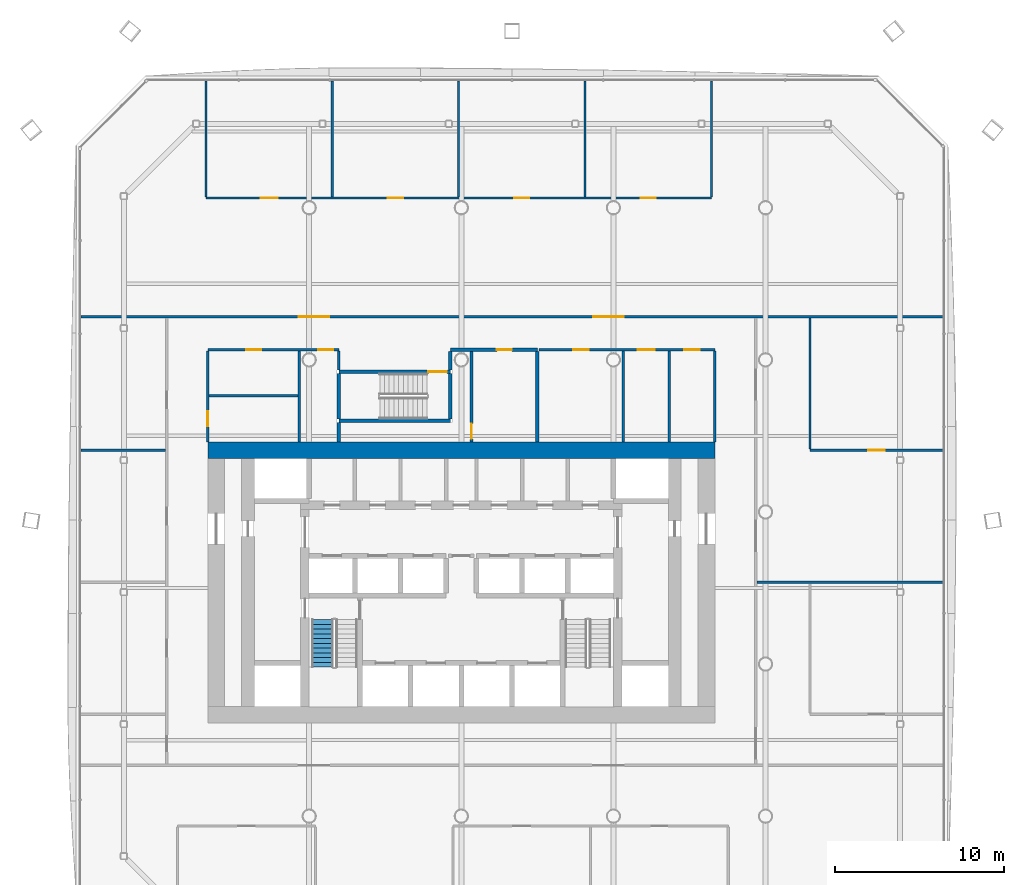
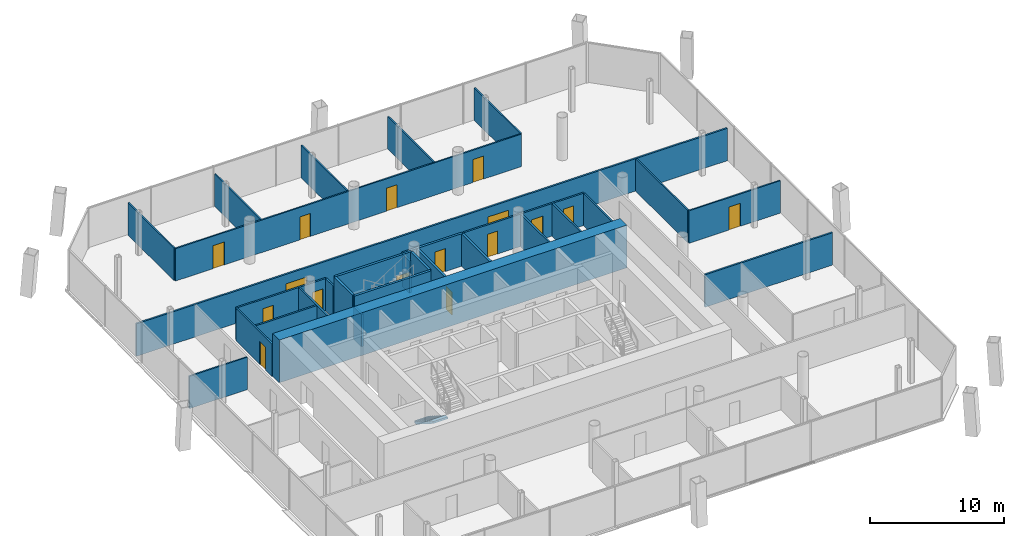
# One storey, part 14 of 20: 30 walls, 16 doors, 1 stair flight, 16 openings, 1 element without a shape of its own.
"""IFC4 building model written with IfcOpenShell, lengths in metres."""

from ifc_helpers import new_model, si_unit, direction, frame, frame_2d, origin, place, context, subcontext, project, spatial, polyline, rectangle, outline, extrude, material, layer, layer_set, type_object, element, fill, aggregate, save


model = new_model("IFC4")

# Units and contexts
model_context = context("Model", 3, precision=1e-05, world=origin(), true_north=direction((0.0, 1.0)))
body_context = subcontext(model_context, "Body", "Model", "MODEL_VIEW")
ifc_project = project(units=[si_unit("LENGTHUNIT", "METRE"), si_unit("AREAUNIT", "SQUARE_METRE"), si_unit("VOLUMEUNIT", "CUBIC_METRE"), si_unit("PLANEANGLEUNIT", "RADIAN"), si_unit("MASSUNIT", "GRAM", prefix="KILO")], contexts=[model_context])

# Site, building, storey
site_placement = place(None, origin())
site = spatial("IfcSite", under=ifc_project, at=site_placement, CompositionType="ELEMENT")
building_placement = place(site_placement, origin())
building = spatial("IfcBuilding", under=site, at=building_placement, Name="Tskaro Facet Tower", CompositionType="ELEMENT")
storey_placement = place(building_placement, frame((0.0, 0.0, 66.0)))
storey = spatial("IfcBuildingStorey", under=building, at=storey_placement, Name="L15", CompositionType="ELEMENT", Elevation=66.0)

# Walls
ifc_material_1 = material(Name="Concrete C60/75", Category="concrete")
ifc_layer_1 = layer(ifc_material_1, 1.0, Name="Concrete C60/75")
ifc_layer_set_1 = layer_set([ifc_layer_1], Name="Concrete C60/75")
wall_type_1 = type_object("IfcWallType", Name="Core wall 1000", PredefinedType="SHEAR", material=ifc_layer_set_1)
wall_1_placement = place(storey_placement, frame((-15.0, 3.64990234375, 0.0), z_axis=(0.0, 0.0, 1.0), x_axis=(1.0, 0.0, 0.0)))
element("IfcWall", 1, at=wall_1_placement, inside=storey, type_object=wall_type_1, Name="Core wall CW-Z1N", PredefinedType="SHEAR", context=body_context, shape_type="SweptSolid", body=[
    extrude(rectangle(XDim=30.0, YDim=1.0, at=frame_2d((15.0, 0.0))), origin(), (0.0, 0.0, 1.0), 3.89990234375),
])
ifc_material_2 = material(Name="Gypsum board on steel studs", Category="steel")
ifc_layer_2 = layer(ifc_material_2, 0.125, Name="Gypsum board on steel studs")
ifc_layer_set_2 = layer_set([ifc_layer_2], Name="Gypsum board on steel studs")
wall_type_2 = type_object("IfcWallType", Name="PART", PredefinedType="PARTITIONING", material=ifc_layer_set_2)
wall_2_placement = place(storey_placement, frame((-22.509033203125, 3.64794921875, 0.0), z_axis=(0.0, 0.0, 1.0), x_axis=(1.0, 0.0, 0.0)))
element("IfcWall", 2, at=wall_2_placement, inside=storey, type_object=wall_type_2, Name="Partition W018", PredefinedType="PARTITIONING", context=body_context, shape_type="SweptSolid", body=[
    extrude(rectangle(XDim=5.009033203125, YDim=0.125, at=frame_2d((2.50439453125, 0.0))), origin(), (0.0, 0.0, 1.0), 2.9599609375),
])

# Wall, opening, door
wall_3_placement = place(storey_placement, frame((20.625, 3.64794921875, 0.0), z_axis=(0.0, 0.0, 1.0), x_axis=(1.0, 0.0, 0.0)))
wall_3 = element("IfcWall", 3, at=wall_3_placement, inside=storey, type_object=wall_type_2, Name="Partition W019", PredefinedType="PARTITIONING", context=body_context, shape_type="SweptSolid", body=[
    extrude(rectangle(XDim=7.884033203125, YDim=0.125, at=frame_2d((3.94189453125, 0.0))), origin(), (0.0, 0.0, 1.0), 2.9599609375),
])
opening_1_placement = place(wall_3_placement, frame((3.44189453125, 0.0, 0.0)))
opening_1 = element("IfcOpeningElement", 4, at=opening_1_placement, cuts=wall_3, Name="Opening T4-D29", PredefinedType="OPENING", context=body_context, shape_type="SweptSolid", body=[
    extrude(rectangle(XDim=1.0, YDim=2.10009765625, at=frame_2d((0.5, 1.050048828125))), frame((0.0, 0.072509765625, 0.0), z_axis=(0.0, -1.0, 0.0), x_axis=(1.0, 0.0, 0.0)), (0.0, 0.0, 1.0), 0.14501953125),
])
ifc_material_3 = material(Name="Timber", Category="wood")
door_type_1 = type_object("IfcDoorType", Name="D-ROOM-WIDE", OperationType="NOTDEFINED", PredefinedType="DOOR", material=ifc_material_3)
door_1_placement = place(opening_1_placement, origin())
door_1 = element("IfcDoor", 5, at=door_1_placement, inside=storey, type_object=door_type_1, Name="Door T4-D29", OperationType="SINGLE_SWING_LEFT", OverallHeight=2.10009765625, OverallWidth=1.0, PredefinedType="DOOR", context=body_context, shape_type="SweptSolid", body=[
    extrude(rectangle(XDim=1.0, YDim=2.10009765625, at=frame_2d((0.5, 1.050048828125))), frame((0.0, 0.02490234375, 0.0), z_axis=(0.0, -1.0, 0.0), x_axis=(1.0, 0.0, 0.0)), (0.0, 0.0, 1.0), 0.050048828125),
])
fill(opening_1, door_1)

# Wall, openings, doors
wall_4_placement = place(storey_placement, frame((-15.110107421875, 18.580078125, 0.0), z_axis=(0.0, 0.0, 1.0), x_axis=(1.0, 0.0, 0.0)))
wall_4 = element("IfcWall", 6, at=wall_4_placement, inside=storey, type_object=wall_type_2, Name="Partition W027", PredefinedType="PARTITIONING", context=body_context, shape_type="SweptSolid", body=[
    extrude(rectangle(XDim=29.904052734375, YDim=0.125, at=frame_2d((14.9521484375, 0.0))), origin(), (0.0, 0.0, 1.0), 2.9599609375),
])
opening_2_placement = place(wall_4_placement, frame((10.763916015625, 0.0, 0.0)))
opening_2 = element("IfcOpeningElement", 7, at=opening_2_placement, cuts=wall_4, Name="Opening T4-D43", PredefinedType="OPENING", context=body_context, shape_type="SweptSolid", body=[
    extrude(rectangle(XDim=0.89990234375, YDim=2.10009765625, at=frame_2d((0.449951171875, 1.050048828125))), frame((0.0, 0.072509765625, 0.0), z_axis=(0.0, -1.0, 0.0), x_axis=(1.0, 0.0, 0.0)), (0.0, 0.0, 1.0), 0.14501953125),
])
opening_3_placement = place(wall_4_placement, frame((3.238037109375, 0.0, 0.0)))
opening_3 = element("IfcOpeningElement", 8, at=opening_3_placement, cuts=wall_4, Name="Opening T4-D42", PredefinedType="OPENING", context=body_context, shape_type="SweptSolid", body=[
    extrude(rectangle(XDim=1.0, YDim=2.10009765625, at=frame_2d((0.5, 1.050048828125))), frame((0.0, 0.072509765625, 0.0), z_axis=(0.0, -1.0, 0.0), x_axis=(1.0, 0.0, 0.0)), (0.0, 0.0, 1.0), 0.14501953125),
])
opening_4_placement = place(wall_4_placement, frame((25.716064453125, 0.0, 0.0)))
opening_4 = element("IfcOpeningElement", 9, at=opening_4_placement, cuts=wall_4, Name="Opening T4-D45", PredefinedType="OPENING", context=body_context, shape_type="SweptSolid", body=[
    extrude(rectangle(XDim=0.89990234375, YDim=2.10009765625, at=frame_2d((0.449951171875, 1.050048828125))), frame((0.0, 0.072509765625, 0.0), z_axis=(0.0, -1.0, 0.0), x_axis=(1.0, 0.0, 0.0)), (0.0, 0.0, 1.0), 0.14501953125),
])
opening_5_placement = place(wall_4_placement, frame((18.239990234375, 0.0, 0.0)))
opening_5 = element("IfcOpeningElement", 10, at=opening_5_placement, cuts=wall_4, Name="Opening T4-D44", PredefinedType="OPENING", context=body_context, shape_type="SweptSolid", body=[
    extrude(rectangle(XDim=0.89990234375, YDim=2.10009765625, at=frame_2d((0.449951171875, 1.050048828125))), frame((0.0, 0.072509765625, 0.0), z_axis=(0.0, -1.0, 0.0), x_axis=(1.0, 0.0, 0.0)), (0.0, 0.0, 1.0), 0.14501953125),
])
door_type_2 = type_object("IfcDoorType", Name="D-ROOM", OperationType="NOTDEFINED", PredefinedType="DOOR", material=ifc_material_3)
door_2_placement = place(opening_2_placement, origin())
door_2 = element("IfcDoor", 11, at=door_2_placement, inside=storey, type_object=door_type_2, Name="Door T4-D43", OperationType="SINGLE_SWING_LEFT", OverallHeight=2.10009765625, OverallWidth=0.89990234375, PredefinedType="DOOR", context=body_context, shape_type="SweptSolid", body=[
    extrude(rectangle(XDim=0.89990234375, YDim=2.10009765625, at=frame_2d((0.449951171875, 1.050048828125))), frame((0.0, 0.02490234375, 0.0), z_axis=(0.0, -1.0, 0.0), x_axis=(1.0, 0.0, 0.0)), (0.0, 0.0, 1.0), 0.050048828125),
])
fill(opening_2, door_2)
door_3_placement = place(opening_4_placement, origin())
door_3 = element("IfcDoor", 12, at=door_3_placement, inside=storey, type_object=door_type_2, Name="Door T4-D45", OperationType="SINGLE_SWING_LEFT", OverallHeight=2.10009765625, OverallWidth=0.89990234375, PredefinedType="DOOR", context=body_context, shape_type="SweptSolid", body=[
    extrude(rectangle(XDim=0.89990234375, YDim=2.10009765625, at=frame_2d((0.449951171875, 1.050048828125))), frame((0.0, 0.02490234375, 0.0), z_axis=(0.0, -1.0, 0.0), x_axis=(1.0, 0.0, 0.0)), (0.0, 0.0, 1.0), 0.050048828125),
])
fill(opening_4, door_3)
door_4_placement = place(opening_5_placement, origin())
door_4 = element("IfcDoor", 13, at=door_4_placement, inside=storey, type_object=door_type_2, Name="Door T4-D44", OperationType="SINGLE_SWING_LEFT", OverallHeight=2.10009765625, OverallWidth=0.89990234375, PredefinedType="DOOR", context=body_context, shape_type="SweptSolid", body=[
    extrude(rectangle(XDim=0.89990234375, YDim=2.10009765625, at=frame_2d((0.449951171875, 1.050048828125))), frame((0.0, 0.02490234375, 0.0), z_axis=(0.0, -1.0, 0.0), x_axis=(1.0, 0.0, 0.0)), (0.0, 0.0, 1.0), 0.050048828125),
])
fill(opening_5, door_4)
door_5_placement = place(opening_3_placement, origin())
door_5 = element("IfcDoor", 14, at=door_5_placement, inside=storey, type_object=door_type_1, Name="Door T4-D42", OperationType="SINGLE_SWING_LEFT", OverallHeight=2.10009765625, OverallWidth=1.0, PredefinedType="DOOR", context=body_context, shape_type="SweptSolid", body=[
    extrude(rectangle(XDim=1.0, YDim=2.10009765625, at=frame_2d((0.5, 1.050048828125))), frame((0.0, 0.02490234375, 0.0), z_axis=(0.0, -1.0, 0.0), x_axis=(1.0, 0.0, 0.0)), (0.0, 0.0, 1.0), 0.050048828125),
])
fill(opening_3, door_5)

# Walls
for number, where, z_axis, x_axis, name in (
    (15, (-15.110107421875, 18.642578125, 0.0), (0.0, 0.0, 1.0), (0.0, 1.0, 0.0), "Partition W030"),
    (16, (-7.634033203125, 18.642578125, 0.0), (0.0, 0.0, 1.0), (0.0, 1.0, 0.0), "Partition W035"),
    (17, (-0.157958984375, 18.642578125, 0.0), (0.0, 0.0, 1.0), (0.0, 1.0, 0.0), "Partition W050"),
    (18, (7.318115234375, 18.642578125, 0.0), (0.0, 0.0, 1.0), (0.0, 1.0, 0.0), "Partition W062"),
    (19, (14.7939453125, 18.642578125, 0.0), (0.0, 0.0, 1.0), (0.0, 1.0, 0.0), "Partition W067"),
):
    element("IfcWall", number, at=place(storey_placement, frame(where, z_axis=z_axis, x_axis=x_axis)), inside=storey, type_object=wall_type_2, Name=name, PredefinedType="PARTITIONING", context=body_context, shape_type="SweptSolid", body=[
        extrude(rectangle(XDim=6.866455078125, YDim=0.125, at=frame_2d((3.43310546875, 0.0))), origin(), (0.0, 0.0, 1.0), 2.9599609375),
    ])
wall_5_placement = place(storey_placement, frame((20.625, 3.71044921875, 0.0), z_axis=(0.0, 0.0, 1.0), x_axis=(0.0, 1.0, 0.0)))
element("IfcWall", 20, at=wall_5_placement, inside=storey, type_object=wall_type_2, Name="Partition W072", PredefinedType="PARTITIONING", context=body_context, shape_type="SweptSolid", body=[
    extrude(rectangle(XDim=7.76953125, YDim=0.125, at=frame_2d((3.884765625, 0.0))), origin(), (0.0, 0.0, 1.0), 2.9599609375),
])
ifc_layer_3 = layer(ifc_material_2, 0.14990234375, Name="Gypsum board on steel studs")
ifc_layer_set_3 = layer_set([ifc_layer_3], Name="Gypsum board on steel studs")
wall_type_3 = type_object("IfcWallType", Name="PART-CORR", PredefinedType="PARTITIONING", material=ifc_layer_set_3)
wall_6_placement = place(storey_placement, frame((17.5, -4.162109375, 0.0), z_axis=(0.0, 0.0, 1.0), x_axis=(1.0, 0.0, 0.0)))
element("IfcWall", 21, at=wall_6_placement, inside=storey, type_object=wall_type_3, Name="Corridor wall W012", PredefinedType="PARTITIONING", context=body_context, shape_type="SweptSolid", body=[
    extrude(rectangle(XDim=11.009033203125, YDim=0.14990234375, at=frame_2d((5.50439453125, 0.0))), origin(), (0.0, 0.0, 1.0), 2.9599609375),
])
wall_7_placement = place(storey_placement, frame((-14.925048828125, 6.8779296875, 0.0), z_axis=(0.0, 0.0, 1.0), x_axis=(1.0, 0.0, 0.0)))
element("IfcWall", 22, at=wall_7_placement, inside=storey, type_object=wall_type_3, Name="Corridor wall W021", PredefinedType="PARTITIONING", context=body_context, shape_type="SweptSolid", body=[
    extrude(rectangle(XDim=5.275146484375, YDim=0.14990234375, at=frame_2d((2.6376953125, 0.0))), origin(), (0.0, 0.0, 1.0), 2.9599609375),
])

# Wall, openings, doors
wall_8_placement = place(storey_placement, frame((-7.25, 9.60498046875, 0.0), z_axis=(0.0, 0.0, 1.0), x_axis=(-1.0, 0.0, 0.0)))
wall_8 = element("IfcWall", 23, at=wall_8_placement, inside=storey, type_object=wall_type_3, Name="Corridor wall W023", PredefinedType="PARTITIONING", context=body_context, shape_type="SweptSolid", body=[
    extrude(rectangle(XDim=7.75, YDim=0.14990234375, at=frame_2d((3.875, 0.0))), origin(), (0.0, 0.0, 1.0), 2.9599609375),
])
opening_6_placement = place(wall_8_placement, frame((0.3125, 0.0, 0.0)))
opening_6 = element("IfcOpeningElement", 24, at=opening_6_placement, cuts=wall_8, Name="Opening T4-D35", PredefinedType="OPENING", context=body_context, shape_type="SweptSolid", body=[
    extrude(rectangle(XDim=0.89990234375, YDim=2.10009765625, at=frame_2d((0.449951171875, 1.050048828125))), frame((0.0, 0.0849609375, 0.0), z_axis=(0.0, -1.0, 0.0), x_axis=(1.0, 0.0, 0.0)), (0.0, 0.0, 1.0), 0.169921875),
])
opening_7_placement = place(wall_8_placement, frame((4.58740234375, 0.0, 0.0)))
opening_7 = element("IfcOpeningElement", 25, at=opening_7_placement, cuts=wall_8, Name="Opening T4-D34", PredefinedType="OPENING", context=body_context, shape_type="SweptSolid", body=[
    extrude(rectangle(XDim=0.89990234375, YDim=2.10009765625, at=frame_2d((0.449951171875, 1.050048828125))), frame((0.0, 0.0849609375, 0.0), z_axis=(0.0, -1.0, 0.0), x_axis=(1.0, 0.0, 0.0)), (0.0, 0.0, 1.0), 0.169921875),
])
ifc_material_4 = material(Name="Steel", Category="steel")
door_type_3 = type_object("IfcDoorType", Name="D-RISER", OperationType="NOTDEFINED", PredefinedType="DOOR", material=ifc_material_4)
door_6_placement = place(opening_6_placement, origin())
door_6 = element("IfcDoor", 26, at=door_6_placement, inside=storey, type_object=door_type_3, Name="Door T4-D35", OperationType="SINGLE_SWING_RIGHT", OverallHeight=2.10009765625, OverallWidth=0.89990234375, PredefinedType="DOOR", context=body_context, shape_type="SweptSolid", body=[
    extrude(rectangle(XDim=0.89990234375, YDim=2.10009765625, at=frame_2d((0.449951171875, 1.050048828125))), frame((0.0, 0.02490234375, 0.0), z_axis=(0.0, -1.0, 0.0), x_axis=(1.0, 0.0, 0.0)), (0.0, 0.0, 1.0), 0.050048828125),
])
fill(opening_6, door_6)
door_7_placement = place(opening_7_placement, origin())
door_7 = element("IfcDoor", 27, at=door_7_placement, inside=storey, type_object=door_type_2, Name="Door T4-D34", OperationType="SINGLE_SWING_RIGHT", OverallHeight=2.10009765625, OverallWidth=0.89990234375, PredefinedType="DOOR", context=body_context, shape_type="SweptSolid", body=[
    extrude(rectangle(XDim=0.89990234375, YDim=2.10009765625, at=frame_2d((0.449951171875, 1.050048828125))), frame((0.0, 0.02490234375, 0.0), z_axis=(0.0, -1.0, 0.0), x_axis=(1.0, 0.0, 0.0)), (0.0, 0.0, 1.0), 0.050048828125),
])
fill(opening_7, door_7)

wall_9_placement = place(storey_placement, frame((15.0, 9.60498046875, 0.0), z_axis=(0.0, 0.0, 1.0), x_axis=(-1.0, 0.0, 0.0)))
wall_9 = element("IfcWall", 28, at=wall_9_placement, inside=storey, type_object=wall_type_3, Name="Corridor wall W025", PredefinedType="PARTITIONING", context=body_context, shape_type="SweptSolid", body=[
    extrude(rectangle(XDim=10.39990234375, YDim=0.14990234375, at=frame_2d((5.199951171875, 0.0))), origin(), (0.0, 0.0, 1.0), 2.9599609375),
])
opening_8_placement = place(wall_9_placement, frame((0.89990234375, 0.0, 0.0)))
opening_8 = element("IfcOpeningElement", 29, at=opening_8_placement, cuts=wall_9, Name="Opening T4-D39", PredefinedType="OPENING", context=body_context, shape_type="SweptSolid", body=[
    extrude(rectangle(XDim=0.89990234375, YDim=2.10009765625, at=frame_2d((0.449951171875, 1.050048828125))), frame((0.0, 0.0849609375, 0.0), z_axis=(0.0, -1.0, 0.0), x_axis=(1.0, 0.0, 0.0)), (0.0, 0.0, 1.0), 0.169921875),
])
opening_9_placement = place(wall_9_placement, frame((7.46240234375, 0.0, 0.0)))
opening_9 = element("IfcOpeningElement", 30, at=opening_9_placement, cuts=wall_9, Name="Opening T4-D37", PredefinedType="OPENING", context=body_context, shape_type="SweptSolid", body=[
    extrude(rectangle(XDim=0.89990234375, YDim=2.10009765625, at=frame_2d((0.449951171875, 1.050048828125))), frame((0.0, 0.0849609375, 0.0), z_axis=(0.0, -1.0, 0.0), x_axis=(1.0, 0.0, 0.0)), (0.0, 0.0, 1.0), 0.169921875),
])
opening_10_placement = place(wall_9_placement, frame((3.5625, 0.0, 0.0)))
opening_10 = element("IfcOpeningElement", 31, at=opening_10_placement, cuts=wall_9, Name="Opening T4-D38", PredefinedType="OPENING", context=body_context, shape_type="SweptSolid", body=[
    extrude(rectangle(XDim=1.0, YDim=2.10009765625, at=frame_2d((0.5, 1.050048828125))), frame((0.0, 0.0849609375, 0.0), z_axis=(0.0, -1.0, 0.0), x_axis=(1.0, 0.0, 0.0)), (0.0, 0.0, 1.0), 0.169921875),
])
door_8_placement = place(opening_8_placement, origin())
door_8 = element("IfcDoor", 32, at=door_8_placement, inside=storey, type_object=door_type_2, Name="Door T4-D39", OperationType="SINGLE_SWING_RIGHT", OverallHeight=2.10009765625, OverallWidth=0.89990234375, PredefinedType="DOOR", context=body_context, shape_type="SweptSolid", body=[
    extrude(rectangle(XDim=0.89990234375, YDim=2.10009765625, at=frame_2d((0.449951171875, 1.050048828125))), frame((0.0, 0.02490234375, 0.0), z_axis=(0.0, -1.0, 0.0), x_axis=(1.0, 0.0, 0.0)), (0.0, 0.0, 1.0), 0.050048828125),
])
fill(opening_8, door_8)
door_9_placement = place(opening_9_placement, origin())
door_9 = element("IfcDoor", 33, at=door_9_placement, inside=storey, type_object=door_type_2, Name="Door T4-D37", OperationType="SINGLE_SWING_RIGHT", OverallHeight=2.10009765625, OverallWidth=0.89990234375, PredefinedType="DOOR", context=body_context, shape_type="SweptSolid", body=[
    extrude(rectangle(XDim=0.89990234375, YDim=2.10009765625, at=frame_2d((0.449951171875, 1.050048828125))), frame((0.0, 0.02490234375, 0.0), z_axis=(0.0, -1.0, 0.0), x_axis=(1.0, 0.0, 0.0)), (0.0, 0.0, 1.0), 0.050048828125),
])
fill(opening_9, door_9)
door_10_placement = place(opening_10_placement, origin())
door_10 = element("IfcDoor", 34, at=door_10_placement, inside=storey, type_object=door_type_1, Name="Door T4-D38", OperationType="SINGLE_SWING_RIGHT", OverallHeight=2.10009765625, OverallWidth=1.0, PredefinedType="DOOR", context=body_context, shape_type="SweptSolid", body=[
    extrude(rectangle(XDim=1.0, YDim=2.10009765625, at=frame_2d((0.5, 1.050048828125))), frame((0.0, 0.02490234375, 0.0), z_axis=(0.0, -1.0, 0.0), x_axis=(1.0, 0.0, 0.0)), (0.0, 0.0, 1.0), 0.050048828125),
])
fill(opening_10, door_10)

wall_10_placement = place(storey_placement, frame((28.509033203125, 11.554931640625, 0.0), z_axis=(0.0, 0.0, 1.0), x_axis=(-1.0, 0.0, 0.0)))
wall_10 = element("IfcWall", 35, at=wall_10_placement, inside=storey, type_object=wall_type_3, Name="Corridor wall W026", PredefinedType="PARTITIONING", context=body_context, shape_type="SweptSolid", body=[
    extrude(rectangle(XDim=51.01806640625, YDim=0.14990234375, at=frame_2d((25.509033203125, 0.0))), origin(), (0.0, 0.0, 1.0), 2.9599609375),
])
opening_11_placement = place(wall_10_placement, frame((36.322021484375, 0.0, 0.0)))
opening_11 = element("IfcOpeningElement", 36, at=opening_11_placement, cuts=wall_10, Name="Opening T4-D40", PredefinedType="OPENING", context=body_context, shape_type="SweptSolid", body=[
    extrude(rectangle(XDim=1.800048828125, YDim=2.10009765625, at=frame_2d((0.89990234375, 1.050048828125))), frame((0.0, 0.0849609375, 0.0), z_axis=(0.0, -1.0, 0.0), x_axis=(1.0, 0.0, 0.0)), (0.0, 0.0, 1.0), 0.169921875),
])
opening_12_placement = place(wall_10_placement, frame((18.89599609375, 0.0, 0.0)))
opening_12 = element("IfcOpeningElement", 37, at=opening_12_placement, cuts=wall_10, Name="Opening T4-D41", PredefinedType="OPENING", context=body_context, shape_type="SweptSolid", body=[
    extrude(rectangle(XDim=1.800048828125, YDim=2.10009765625, at=frame_2d((0.89990234375, 1.050048828125))), frame((0.0, 0.0849609375, 0.0), z_axis=(0.0, -1.0, 0.0), x_axis=(1.0, 0.0, 0.0)), (0.0, 0.0, 1.0), 0.169921875),
])
ifc_material_5 = material(Name="Glass", Category="glass")
door_type_4 = type_object("IfcDoorType", Name="D-ENTRY-PAIR", OperationType="NOTDEFINED", PredefinedType="DOOR", material=ifc_material_5)
door_11_placement = place(opening_11_placement, origin())
door_11 = element("IfcDoor", 38, at=door_11_placement, inside=storey, type_object=door_type_4, Name="Door T4-D40", OperationType="DOUBLE_DOOR_SINGLE_SWING", OverallHeight=2.10009765625, OverallWidth=1.800048828125, PredefinedType="DOOR", context=body_context, shape_type="SweptSolid", body=[
    extrude(rectangle(XDim=1.800048828125, YDim=2.10009765625, at=frame_2d((0.89990234375, 1.050048828125))), frame((0.0, 0.02490234375, 0.0), z_axis=(0.0, -1.0, 0.0), x_axis=(1.0, 0.0, 0.0)), (0.0, 0.0, 1.0), 0.050048828125),
])
fill(opening_11, door_11)
door_12_placement = place(opening_12_placement, origin())
door_12 = element("IfcDoor", 39, at=door_12_placement, inside=storey, type_object=door_type_4, Name="Door T4-D41", OperationType="DOUBLE_DOOR_SINGLE_SWING", OverallHeight=2.10009765625, OverallWidth=1.800048828125, PredefinedType="DOOR", context=body_context, shape_type="SweptSolid", body=[
    extrude(rectangle(XDim=1.800048828125, YDim=2.10009765625, at=frame_2d((0.89990234375, 1.050048828125))), frame((0.0, 0.02490234375, 0.0), z_axis=(0.0, -1.0, 0.0), x_axis=(1.0, 0.0, 0.0)), (0.0, 0.0, 1.0), 0.050048828125),
])
fill(opening_12, door_12)

# Wall, opening, door
wall_11_placement = place(storey_placement, frame((-15.0, 9.530029296875, 0.0), z_axis=(0.0, 0.0, 1.0), x_axis=(0.0, -1.0, 0.0)))
wall_11 = element("IfcWall", 40, at=wall_11_placement, inside=storey, type_object=wall_type_3, Name="Corridor wall W031", PredefinedType="PARTITIONING", context=body_context, shape_type="SweptSolid", body=[
    extrude(rectangle(XDim=5.380126953125, YDim=0.14990234375, at=frame_2d((2.68994140625, 0.0))), origin(), (0.0, 0.0, 1.0), 2.9599609375),
])
opening_13_placement = place(wall_11_placement, frame((3.56591796875, 0.0, 0.0)))
opening_13 = element("IfcOpeningElement", 41, at=opening_13_placement, cuts=wall_11, Name="Opening T4-D31", PredefinedType="OPENING", context=body_context, shape_type="SweptSolid", body=[
    extrude(rectangle(XDim=0.89990234375, YDim=2.10009765625, at=frame_2d((0.449951171875, 1.050048828125))), frame((0.0, 0.0849609375, 0.0), z_axis=(0.0, -1.0, 0.0), x_axis=(1.0, 0.0, 0.0)), (0.0, 0.0, 1.0), 0.169921875),
])
door_13_placement = place(opening_13_placement, origin())
door_13 = element("IfcDoor", 42, at=door_13_placement, inside=storey, type_object=door_type_2, Name="Door T4-D31", OperationType="SINGLE_SWING_RIGHT", OverallHeight=2.10009765625, OverallWidth=0.89990234375, PredefinedType="DOOR", context=body_context, shape_type="SweptSolid", body=[
    extrude(rectangle(XDim=0.89990234375, YDim=2.10009765625, at=frame_2d((0.449951171875, 1.050048828125))), frame((0.0, 0.02490234375, 0.0), z_axis=(0.0, -1.0, 0.0), x_axis=(1.0, 0.0, 0.0)), (0.0, 0.0, 1.0), 0.050048828125),
])
fill(opening_13, door_13)

# Walls
wall_12_placement = place(storey_placement, frame((-9.574951171875, 4.14990234375, 0.0), z_axis=(0.0, 0.0, 1.0), x_axis=(0.0, 1.0, 0.0)))
element("IfcWall", 43, at=wall_12_placement, inside=storey, type_object=wall_type_3, Name="Corridor wall W032", PredefinedType="PARTITIONING", context=body_context, shape_type="SweptSolid", body=[
    extrude(rectangle(XDim=5.380126953125, YDim=0.14990234375, at=frame_2d((2.68994140625, 0.0))), origin(), (0.0, 0.0, 1.0), 2.9599609375),
])
wall_13_placement = place(storey_placement, frame((-7.25, 8.39990234375, 0.0), z_axis=(0.0, 0.0, 1.0), x_axis=(0.0, 1.0, 0.0)))
element("IfcWall", 44, at=wall_13_placement, inside=storey, type_object=wall_type_3, Name="Corridor wall W038", PredefinedType="PARTITIONING", context=body_context, shape_type="SweptSolid", body=[
    extrude(rectangle(XDim=1.130126953125, YDim=0.14990234375, at=frame_2d((0.56494140625, 0.0))), origin(), (0.0, 0.0, 1.0), 2.9599609375),
])
for number, where, z_axis, x_axis, name in (
    (45, (9.574951171875, 4.14990234375, 0.0), (0.0, 0.0, 1.0), (0.0, 1.0, 0.0), "Corridor wall W065"),
    (46, (12.300048828125, 4.14990234375, 0.0), (0.0, 0.0, 1.0), (0.0, 1.0, 0.0), "Corridor wall W066"),
    (47, (15.0, 4.14990234375, 0.0), (0.0, 0.0, 1.0), (0.0, 1.0, 0.0), "Corridor wall W068"),
):
    element("IfcWall", number, at=place(storey_placement, frame(where, z_axis=z_axis, x_axis=x_axis)), inside=storey, type_object=wall_type_3, Name=name, PredefinedType="PARTITIONING", context=body_context, shape_type="SweptSolid", body=[
        extrude(rectangle(XDim=5.380126953125, YDim=0.14990234375, at=frame_2d((2.68994140625, 0.0))), origin(), (0.0, 0.0, 1.0), 2.9599609375),
    ])
ifc_layer_4 = layer(ifc_material_1, 0.199951171875, Name="Concrete C60/75")
ifc_layer_set_4 = layer_set([ifc_layer_4], Name="Concrete C60/75")
wall_type_4 = type_object("IfcWallType", Name="STAIR-WALL", PredefinedType="SHEAR", material=ifc_layer_set_4)
wall_14_placement = place(storey_placement, frame((-7.25, 5.39990234375, 0.0), z_axis=(0.0, 0.0, 1.0), x_axis=(1.0, 0.0, 0.0)))
element("IfcWall", 48, at=wall_14_placement, inside=storey, type_object=wall_type_4, Name="Stair wall W020", PredefinedType="SHEAR", context=body_context, shape_type="SweptSolid", body=[
    extrude(rectangle(XDim=6.60009765625, YDim=0.199951171875, at=frame_2d((3.300048828125, 0.0))), origin(), (0.0, 0.0, 1.0), 3.89990234375),
])

# Wall, opening, door
wall_15_placement = place(storey_placement, frame((-0.64990234375, 8.300048828125, 0.0), z_axis=(0.0, 0.0, 1.0), x_axis=(-1.0, 0.0, 0.0)))
wall_15 = element("IfcWall", 49, at=wall_15_placement, inside=storey, type_object=wall_type_4, Name="Stair wall W022", PredefinedType="SHEAR", context=body_context, shape_type="SweptSolid", body=[
    extrude(rectangle(XDim=6.60009765625, YDim=0.199951171875, at=frame_2d((3.300048828125, 0.0))), origin(), (0.0, 0.0, 1.0), 3.89990234375),
])
opening_14_placement = place(wall_15_placement, frame((0.199951171875, 0.0, 0.0)))
opening_14 = element("IfcOpeningElement", 50, at=opening_14_placement, cuts=wall_15, Name="Opening ST-3-D1", PredefinedType="OPENING", context=body_context, shape_type="SweptSolid", body=[
    extrude(rectangle(XDim=1.10009765625, YDim=2.10009765625, at=frame_2d((0.550048828125, 1.050048828125))), frame((0.0, 0.10986328125, 0.0), z_axis=(0.0, -1.0, 0.0), x_axis=(1.0, 0.0, 0.0)), (0.0, 0.0, 1.0), 0.219970703125),
])
door_type_5 = type_object("IfcDoorType", Name="D-STAIR", OperationType="NOTDEFINED", PredefinedType="DOOR", material=ifc_material_4)
door_14_placement = place(opening_14_placement, origin())
door_14 = element("IfcDoor", 51, at=door_14_placement, inside=storey, type_object=door_type_5, Name="Stair door 3", OperationType="SINGLE_SWING_RIGHT", OverallHeight=2.10009765625, OverallWidth=1.10009765625, PredefinedType="DOOR", context=body_context, shape_type="SweptSolid", body=[
    extrude(rectangle(XDim=1.10009765625, YDim=2.10009765625, at=frame_2d((0.550048828125, 1.050048828125))), frame((0.0, 0.02490234375, 0.0), z_axis=(0.0, -1.0, 0.0), x_axis=(1.0, 0.0, 0.0)), (0.0, 0.0, 1.0), 0.050048828125),
])
fill(opening_14, door_14)

# Walls
for number, where, z_axis, x_axis, name in (
    (52, (-7.25, 5.5, 0.0), (0.0, 0.0, 1.0), (0.0, 1.0, 0.0), "Stair wall W037"),
    (53, (-0.64990234375, 5.5, 0.0), (0.0, 0.0, 1.0), (0.0, 1.0, 0.0), "Stair wall W047"),
):
    element("IfcWall", number, at=place(storey_placement, frame(where, z_axis=z_axis, x_axis=x_axis)), inside=storey, type_object=wall_type_4, Name=name, PredefinedType="SHEAR", context=body_context, shape_type="SweptSolid", body=[
        extrude(rectangle(XDim=2.699951171875, YDim=0.199951171875, at=frame_2d((1.35009765625, 0.0))), origin(), (0.0, 0.0, 1.0), 3.89990234375),
    ])

# Wall, opening, door
ifc_material_6 = material(Name="Concrete C20/25", Category="concrete")
ifc_layer_5 = layer(ifc_material_6, 0.199951171875, Name="Concrete C20/25")
ifc_layer_set_5 = layer_set([ifc_layer_5], Name="Concrete C20/25")
wall_type_5 = type_object("IfcWallType", Name="WALL-RISER", PredefinedType="SOLIDWALL", material=ifc_layer_set_5)
wall_16_placement = place(storey_placement, frame((4.5, 9.60498046875, 0.0), z_axis=(0.0, 0.0, 1.0), x_axis=(-1.0, 0.0, 0.0)))
wall_16 = element("IfcWall", 54, at=wall_16_placement, inside=storey, type_object=wall_type_5, Name="Riser room wall W024", PredefinedType="SOLIDWALL", context=body_context, shape_type="SweptSolid", body=[
    extrude(rectangle(XDim=5.14990234375, YDim=0.199951171875, at=frame_2d((2.574951171875, 0.0))), origin(), (0.0, 0.0, 1.0), 2.9599609375),
])
opening_15_placement = place(wall_16_placement, frame((1.5, 0.0, 0.0)))
opening_15 = element("IfcOpeningElement", 55, at=opening_15_placement, cuts=wall_16, Name="Opening T4-D36", PredefinedType="OPENING", context=body_context, shape_type="SweptSolid", body=[
    extrude(rectangle(XDim=0.89990234375, YDim=2.10009765625, at=frame_2d((0.449951171875, 1.050048828125))), frame((0.0, 0.10986328125, 0.0), z_axis=(0.0, -1.0, 0.0), x_axis=(1.0, 0.0, 0.0)), (0.0, 0.0, 1.0), 0.219970703125),
])
door_15_placement = place(opening_15_placement, origin())
door_15 = element("IfcDoor", 56, at=door_15_placement, inside=storey, type_object=door_type_3, Name="Door T4-D36", OperationType="SINGLE_SWING_RIGHT", OverallHeight=2.10009765625, OverallWidth=0.89990234375, PredefinedType="DOOR", context=body_context, shape_type="SweptSolid", body=[
    extrude(rectangle(XDim=0.89990234375, YDim=2.10009765625, at=frame_2d((0.449951171875, 1.050048828125))), frame((0.0, 0.02490234375, 0.0), z_axis=(0.0, -1.0, 0.0), x_axis=(1.0, 0.0, 0.0)), (0.0, 0.0, 1.0), 0.050048828125),
])
fill(opening_15, door_15)

# Walls
wall_17_placement = place(storey_placement, frame((-7.25, 4.14990234375, 0.0), z_axis=(0.0, 0.0, 1.0), x_axis=(0.0, 1.0, 0.0)))
element("IfcWall", 57, at=wall_17_placement, inside=storey, type_object=wall_type_5, Name="Riser room wall W036", PredefinedType="SOLIDWALL", context=body_context, shape_type="SweptSolid", body=[
    extrude(rectangle(XDim=1.150146484375, YDim=0.199951171875, at=frame_2d((0.5751953125, 0.0))), origin(), (0.0, 0.0, 1.0), 2.9599609375),
])
wall_18_placement = place(storey_placement, frame((-0.64990234375, 8.39990234375, 0.0), z_axis=(0.0, 0.0, 1.0), x_axis=(0.0, 1.0, 0.0)))
element("IfcWall", 58, at=wall_18_placement, inside=storey, type_object=wall_type_5, Name="Riser room wall W048", PredefinedType="SOLIDWALL", context=body_context, shape_type="SweptSolid", body=[
    extrude(rectangle(XDim=1.10498046875, YDim=0.199951171875, at=frame_2d((0.552490234375, 0.0))), origin(), (0.0, 0.0, 1.0), 2.9599609375),
])

# Wall, opening, door
wall_19_placement = place(storey_placement, frame((0.60009765625, 4.14990234375, 0.0), z_axis=(0.0, 0.0, 1.0), x_axis=(0.0, 1.0, 0.0)))
wall_19 = element("IfcWall", 59, at=wall_19_placement, inside=storey, type_object=wall_type_5, Name="Riser room wall W052", PredefinedType="SOLIDWALL", context=body_context, shape_type="SweptSolid", body=[
    extrude(rectangle(XDim=5.35498046875, YDim=0.199951171875, at=frame_2d((2.677490234375, 0.0))), origin(), (0.0, 0.0, 1.0), 2.9599609375),
])
opening_16_placement = place(wall_19_placement, frame((0.175048828125, 0.0, 0.0)))
opening_16 = element("IfcOpeningElement", 60, at=opening_16_placement, cuts=wall_19, Name="Opening T4-D30", PredefinedType="OPENING", context=body_context, shape_type="SweptSolid", body=[
    extrude(rectangle(XDim=0.89990234375, YDim=2.10009765625, at=frame_2d((0.449951171875, 1.050048828125))), frame((0.0, 0.10986328125, 0.0), z_axis=(0.0, -1.0, 0.0), x_axis=(1.0, 0.0, 0.0)), (0.0, 0.0, 1.0), 0.219970703125),
])
door_16_placement = place(opening_16_placement, origin())
door_16 = element("IfcDoor", 61, at=door_16_placement, inside=storey, type_object=door_type_3, Name="Door T4-D30", OperationType="SINGLE_SWING_LEFT", OverallHeight=2.10009765625, OverallWidth=0.89990234375, PredefinedType="DOOR", context=body_context, shape_type="SweptSolid", body=[
    extrude(rectangle(XDim=0.89990234375, YDim=2.10009765625, at=frame_2d((0.449951171875, 1.050048828125))), frame((0.0, 0.02490234375, 0.0), z_axis=(0.0, -1.0, 0.0), x_axis=(1.0, 0.0, 0.0)), (0.0, 0.0, 1.0), 0.050048828125),
])
fill(opening_16, door_16)

# Wall
wall_20_placement = place(storey_placement, frame((4.5, 4.14990234375, 0.0), z_axis=(0.0, 0.0, 1.0), x_axis=(0.0, 1.0, 0.0)))
element("IfcWall", 62, at=wall_20_placement, inside=storey, type_object=wall_type_5, Name="Riser room wall W058", PredefinedType="SOLIDWALL", context=body_context, shape_type="SweptSolid", body=[
    extrude(rectangle(XDim=5.35498046875, YDim=0.199951171875, at=frame_2d((2.677490234375, 0.0))), origin(), (0.0, 0.0, 1.0), 2.9599609375),
])

# Stair, stair flight
ifc_material_7 = material(Name="Concrete C40/50", Category="concrete")
stair_type = type_object("IfcStairType", Name="ST-TWR", PredefinedType="HALF_TURN_STAIR", material=ifc_material_7)
stair_placement = place(storey_placement, origin())
stair = element("IfcStair", 63, at=stair_placement, inside=storey, type_object=stair_type, Name="L15 Exit stair 1", PredefinedType="HALF_TURN_STAIR")
stair_flight_type = type_object("IfcStairFlightType", Name="SFL-RC", PredefinedType="STRAIGHT", material=ifc_material_7)
stair_flight_placement = place(storey_placement, frame((-8.21240234375, -6.375, 0.0), z_axis=(0.0, 0.0, 1.0), x_axis=(0.0, -1.0, 0.0)))
stair_flight = element("IfcStairFlight", 64, at=stair_flight_placement, type_object=stair_flight_type, Name="ST-1 flight 1", NumberOfRisers=11, NumberOfTreads=10, PredefinedType="STRAIGHT", RiserHeight=0.177272727, TreadLength=0.28, context=body_context, shape_type="SweptSolid", body=[
    extrude(outline(polyline([(0.0, 0.0), (0.0, 0.17724609375), (0.280029296875, 0.17724609375), (0.280029296875, 0.3544921875), (0.56005859375, 0.3544921875), (0.56005859375, 0.53173828125), (0.840087890625, 0.53173828125), (0.840087890625, 0.708984375), (1.1201171875, 0.708984375), (1.1201171875, 0.886474609375), (1.39990234375, 0.886474609375), (1.39990234375, 1.063720703125), (1.679931640625, 1.063720703125), (1.679931640625, 1.240966796875), (1.9599609375, 1.240966796875), (1.9599609375, 1.418212890625), (2.239990234375, 1.418212890625), (2.239990234375, 1.595458984375), (2.52001953125, 1.595458984375), (2.52001953125, 1.772705078125), (2.800048828125, 1.772705078125), (2.800048828125, 1.949951171875), (2.800048828125, 1.59521484375), (0.2802734375, 0.0), (0.0, 0.0)])), frame((0.0, 0.637451171875, 0.0), z_axis=(0.0, -1.0, 0.0), x_axis=(1.0, 0.0, 0.0)), (0.0, 0.0, 1.0), 1.27490234375),
])
aggregate(stair, [stair_flight])

save(model, "model.ifc")
